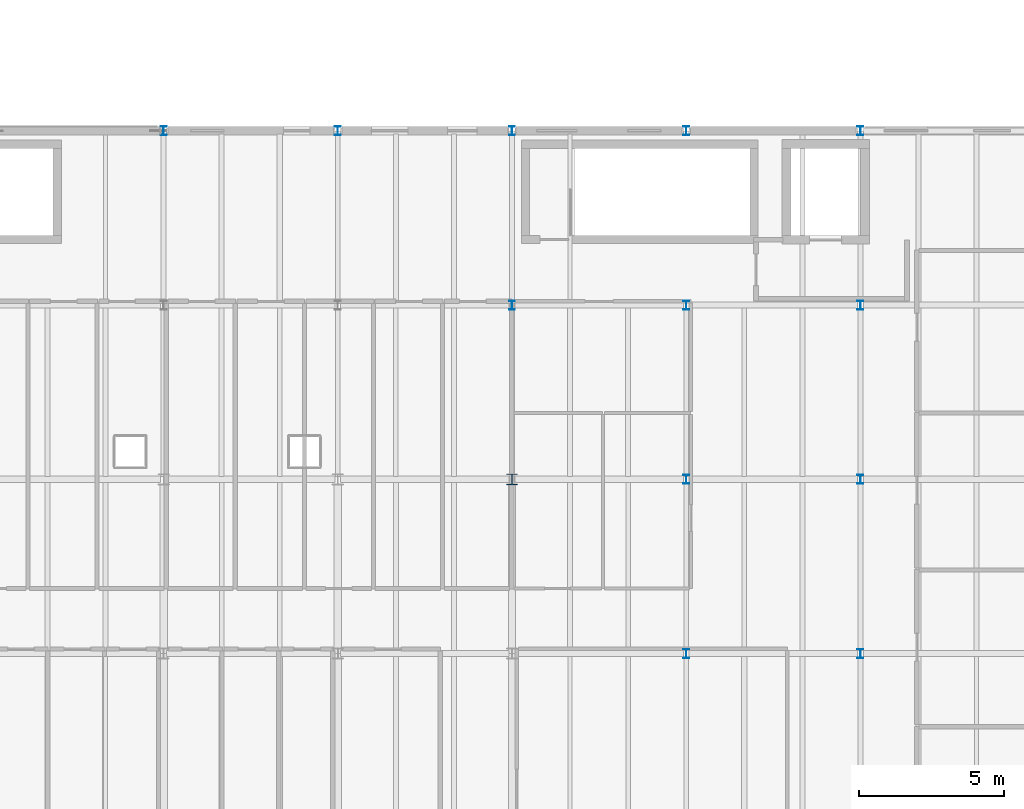
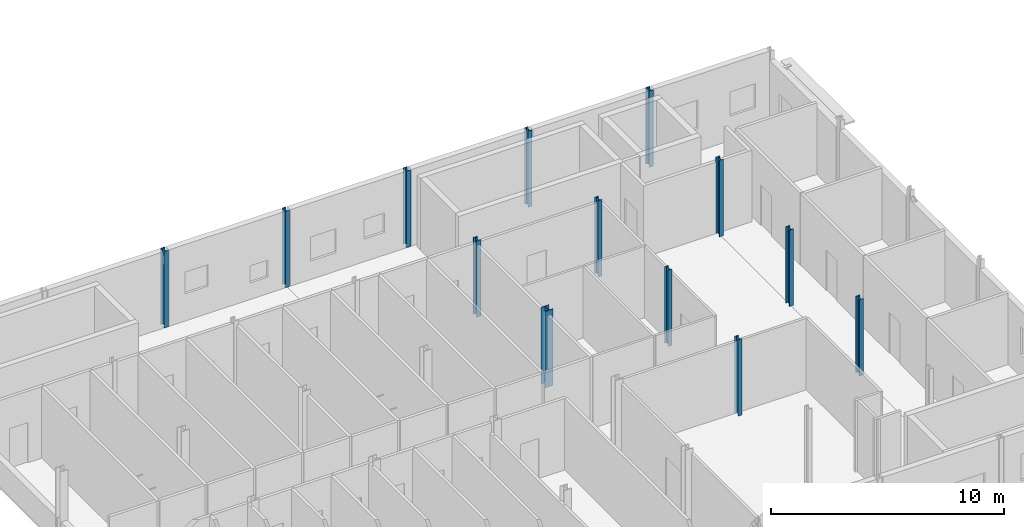
# One storey, part 3 of 45: 13 columns.
"""IFC4 building model written with IfcOpenShell, lengths in metres."""

from ifc_helpers import new_model, si_unit, direction, frame, origin, origin_2d, place, context, subcontext, project, spatial, i_section, extrude, material, material_profile, profile_set, type_object, element, save


model = new_model("IFC4")

# Units and contexts
model_context = context("Model", 3, precision=1e-05, world=origin(), true_north=direction((0.0, 1.0)))
body_context = subcontext(model_context, "Body", "Model", "MODEL_VIEW")
ifc_project = project(units=[si_unit("LENGTHUNIT", "METRE"), si_unit("AREAUNIT", "SQUARE_METRE"), si_unit("VOLUMEUNIT", "CUBIC_METRE"), si_unit("PLANEANGLEUNIT", "RADIAN"), si_unit("MASSUNIT", "GRAM", prefix="KILO")], contexts=[model_context])

# Site, building, storey
site_placement = place(None, origin())
site = spatial("IfcSite", under=ifc_project, at=site_placement, CompositionType="ELEMENT")
building_placement = place(site_placement, origin())
building = spatial("IfcBuilding", under=site, at=building_placement, Name="Siltcreek Boulevard Central Fire Station", CompositionType="ELEMENT")
storey_placement = place(building_placement, frame((0.0, 0.0, 10.0)))
storey = spatial("IfcBuildingStorey", under=building, at=storey_placement, Name="L03", CompositionType="ELEMENT", Elevation=10.0)

# Columns
ifc_material = material(Name="Structural steel ASTM A992 Gr50", Category="steel")
ifc_material_profile_1 = material_profile(ifc_material, i_section(OverallWidth=0.205078125, OverallDepth=0.31005859375, WebThickness=0.009521484375, FlangeThickness=0.016357421875, at=origin_2d()), Name="W310X74")
ifc_profile_set_1 = profile_set([ifc_material_profile_1], Name="Structural steel ASTM A992 Gr50")
column_type_1 = type_object("IfcColumnType", Name="COL_W310X74", PredefinedType="COLUMN", material=ifc_profile_set_1)
for number, where, z_axis, x_axis, name in (
    (1, (78.0, 54.0, 0.0), (0.0, 0.0, 1.0), (1.0, 0.0, 0.0), "L03 structural column COLG-L03-780-540"),
    (2, (84.0, 54.0, 0.0), (0.0, 0.0, 1.0), (1.0, 0.0, 0.0), "L03 structural column COLG-L03-840-540"),
    (3, (90.0, 48.0, 0.0), (0.0, 0.0, 1.0), (1.0, 0.0, 0.0), "L03 structural column COLG-L03-900-480"),
    (4, (90.0, 54.0, 0.0), (0.0, 0.0, 1.0), (1.0, 0.0, 0.0), "L03 structural column COLG-L03-900-540"),
    (5, (96.0, 36.0, 0.0), (0.0, 0.0, 1.0), (1.0, 0.0, 0.0), "L03 structural column COLG-L03-960-360"),
    (6, (96.0, 42.0, 0.0), (0.0, 0.0, 1.0), (1.0, 0.0, 0.0), "L03 structural column COLG-L03-960-420"),
    (7, (96.0, 48.0, 0.0), (0.0, 0.0, 1.0), (1.0, 0.0, 0.0), "L03 structural column COLG-L03-960-480"),
    (8, (96.0, 54.0, 0.0), (0.0, 0.0, 1.0), (1.0, 0.0, 0.0), "L03 structural column COLG-L03-960-540"),
    (9, (102.0, 36.0, 0.0), (0.0, 0.0, 1.0), (1.0, 0.0, 0.0), "L03 structural column COLG-L03-1020-360"),
    (10, (102.0, 42.0, 0.0), (0.0, 0.0, 1.0), (1.0, 0.0, 0.0), "L03 structural column COLG-L03-1020-420"),
    (11, (102.0, 48.0, 0.0), (0.0, 0.0, 1.0), (1.0, 0.0, 0.0), "L03 structural column COLG-L03-1020-480"),
    (12, (102.0, 54.0, 0.0), (0.0, 0.0, 1.0), (1.0, 0.0, 0.0), "L03 structural column COLG-L03-1020-540"),
):
    element("IfcColumn", number, at=place(storey_placement, frame(where, z_axis=z_axis, x_axis=x_axis)), inside=storey, type_object=column_type_1, Name=name, PredefinedType="COLUMN", context=body_context, shape_type="SweptSolid", body=[
        extrude(i_section(OverallWidth=0.205078125, OverallDepth=0.31005859375, WebThickness=0.009521484375, FlangeThickness=0.016357421875, at=origin_2d()), origin(), (0.0, 0.0, 1.0), 4.0),
    ])
ifc_material_profile_2 = material_profile(ifc_material, i_section(OverallWidth=0.39501953125, OverallDepth=0.3798828125, WebThickness=0.018798828125, FlangeThickness=0.0302734375, at=origin_2d()), Name="W360X237")
ifc_profile_set_2 = profile_set([ifc_material_profile_2], Name="Structural steel ASTM A992 Gr50")
column_type_2 = type_object("IfcColumnType", Name="COL_W360X237", PredefinedType="COLUMN", material=ifc_profile_set_2)
column_placement = place(storey_placement, frame((90.0, 42.0, 0.0), z_axis=(0.0, 0.0, 1.0), x_axis=(1.0, 0.0, 0.0)))
element("IfcColumn", 13, at=column_placement, inside=storey, type_object=column_type_2, Name="L03 structural column COLG-L03-900-420", PredefinedType="COLUMN", context=body_context, shape_type="SweptSolid", body=[
    extrude(i_section(OverallWidth=0.39501953125, OverallDepth=0.3798828125, WebThickness=0.018798828125, FlangeThickness=0.0302734375, at=origin_2d()), origin(), (0.0, 0.0, 1.0), 4.0),
])

save(model, "model.ifc")
